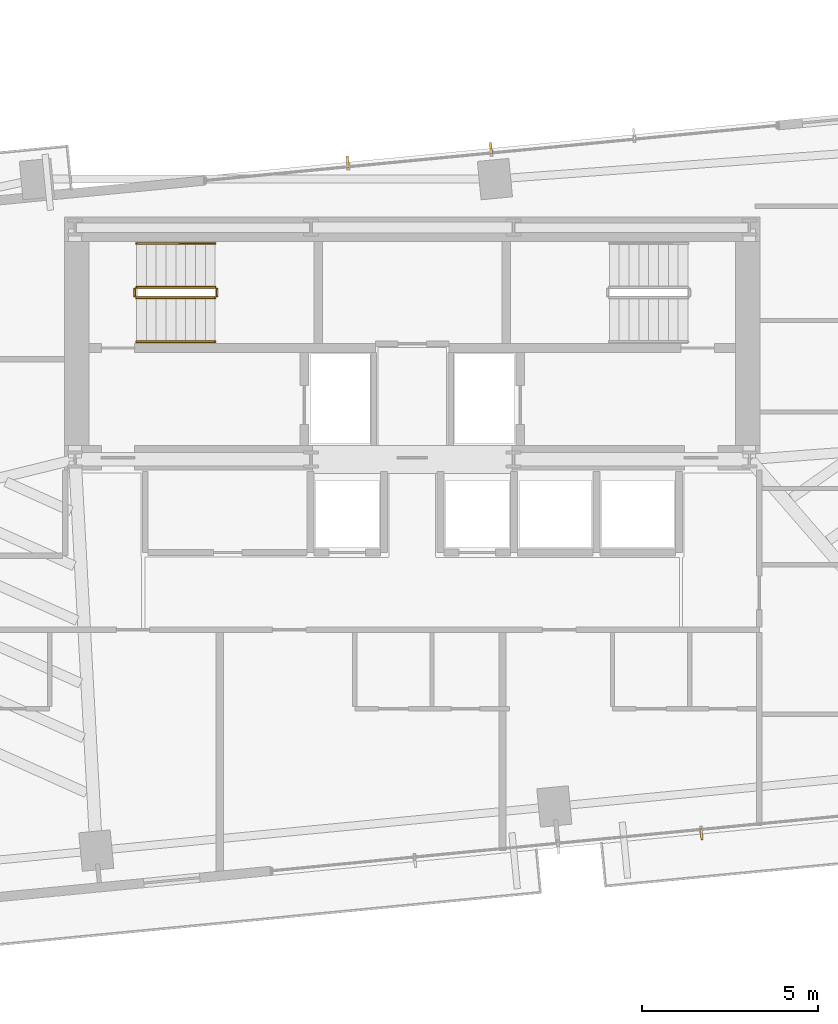
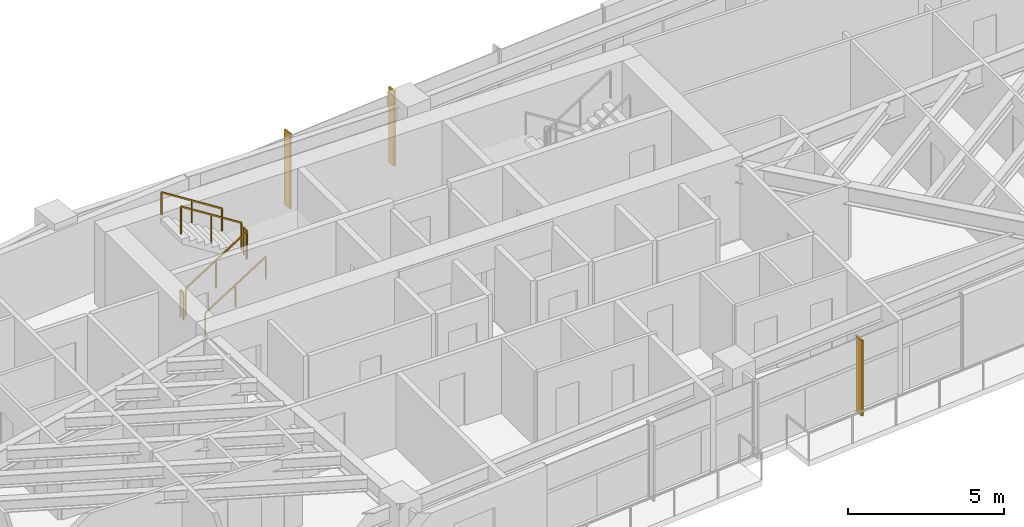
# One storey, part 24 of 25: 6 railings, 3 shading devices.
"""IFC4 building model written with IfcOpenShell, lengths in metres."""

from ifc_helpers import new_model, si_unit, direction, frame, origin, origin_2d, place, context, subcontext, project, spatial, rectangle, extrude, source, transform, mapped, material, type_object, type_shapes, element, save


model = new_model("IFC4")

# Units and contexts
model_context = context("Model", 3, precision=1e-05, world=origin(), true_north=direction((0.0, 1.0)))
body_context = subcontext(model_context, "Body", "Model", "MODEL_VIEW")
ifc_project = project(units=[si_unit("LENGTHUNIT", "METRE"), si_unit("AREAUNIT", "SQUARE_METRE"), si_unit("VOLUMEUNIT", "CUBIC_METRE"), si_unit("PLANEANGLEUNIT", "RADIAN"), si_unit("MASSUNIT", "GRAM", prefix="KILO")], contexts=[model_context])

# Site, building, storey
site_placement = place(None, origin())
site = spatial("IfcSite", under=ifc_project, at=site_placement, CompositionType="ELEMENT")
building_placement = place(site_placement, origin())
building = spatial("IfcBuilding", under=site, at=building_placement, Name="Astriad Promenade Condominiums", CompositionType="ELEMENT")
storey_placement = place(building_placement, frame((0.0, 0.0, 106.60009765625)))
storey = spatial("IfcBuildingStorey", under=building, at=storey_placement, Name="L30", CompositionType="ELEMENT", Elevation=106.60009765625)

# Shading devices
ifc_material_1 = material(Name="Anodised aluminium 6063-T6 Black Fin", Category="aluminium")
shading_device_type = type_object("IfcShadingDeviceType", Name="FIN-BLACK-320", PredefinedType="USERDEFINED", material=ifc_material_1)
shared_shape_1 = source(origin(), body_context, "Body", "SweptSolid", [
    extrude(rectangle(XDim=0.06494140625, YDim=0.320068359375, at=origin_2d()), origin(), (0.0, 0.0, 1.0), 2.93994140625),
])
type_shapes(shading_device_type, [shared_shape_1])
for number, where, z_axis, x_axis, name in (
    (1, (34.164306640625, 25.87158203125, 0.0), (0.0, 0.0, 1.0), (0.995396198367, 0.09584575252, 0.0), "CW-L30-N-FIN-01"),
    (2, (38.240478515625, 26.263916015625, 0.0), (0.0, 0.0, 1.0), (0.995396198367, 0.09584575252, 0.0), "CW-L30-N-FIN-02"),
    (3, (44.235595703125, 6.728515625, 0.0), (0.0, 0.0, 1.0), (-0.995396198367, -0.09584575252, 0.0), "CW-L30-S-FIN-01"),
):
    element("IfcShadingDevice", number, at=place(storey_placement, frame(where, z_axis=z_axis, x_axis=x_axis)), inside=storey, type_object=shading_device_type, Name=name, ObjectType="FIN", PredefinedType="USERDEFINED", context=body_context, shape_type="MappedRepresentation", body=[
        mapped(shared_shape_1, transform((0.0, 0.0, 0.0), scale=1.0)),
    ])

# Railings
ifc_material_2 = material(Name="Painted Galvanised Steel Guardrail", Category="steel")
railing_type_1 = type_object("IfcRailingType", Name="GRD-STAIR-1100", PredefinedType="GUARDRAIL", material=ifc_material_2)
shared_shape_2 = source(origin(), body_context, "Body", "SweptSolid", [
    extrude(rectangle(XDim=0.048095703125, YDim=0.048095703125, at=origin_2d()), frame((0.0, 0.0, 1.076171875), z_axis=(0.0, 1.0, 0.0), x_axis=(-1.0, 0.0, 0.0)), (0.0, 0.0, 1.0), 0.199951171875),
    extrude(rectangle(XDim=0.0419921875, YDim=0.0419921875, at=origin_2d()), origin(), (0.0, 0.0, 1.0), 1.052001953125),
    extrude(rectangle(XDim=0.0419921875, YDim=0.0419921875, at=origin_2d()), frame((0.0, 0.199951171875, 0.0)), (0.0, 0.0, 1.0), 1.052001953125),
])
for number, where, name in (
    (4, (30.43994140625, 22.050048828125, 1.599853515625), "L30 ST-1 stair guard 2"),
    (5, (28.10009765625, 22.050048828125, 0.0), "L30 ST-1 stair guard 4"),
):
    element("IfcRailing", number, at=place(storey_placement, frame(where)), inside=storey, type_object=railing_type_1, Name=name, PredefinedType="GUARDRAIL", context=body_context, shape_type="MappedRepresentation", body=[
        mapped(shared_shape_2, transform((0.0, 0.0, 0.0), scale=1.0)),
    ])
shared_shape_3 = source(origin(), body_context, "Body", "SweptSolid", [
    extrude(rectangle(XDim=0.048095703125, YDim=0.048095703125, at=origin_2d()), frame((0.0, 0.0, 1.076171875), z_axis=(0.8442293374, 0.0, 0.53598211339), x_axis=(0.0, 1.0, 0.0)), (0.0, 0.0, 1.0), 2.6533203125),
    extrude(rectangle(XDim=0.0419921875, YDim=0.0419921875, at=origin_2d()), origin(), (0.0, 0.0, 1.0), 1.052001953125),
    extrude(rectangle(XDim=0.0419921875, YDim=0.0419921875, at=origin_2d()), frame((1.1201171875, 0.0, 0.7109375)), (0.0, 0.0, 1.0), 1.052001953125),
    extrude(rectangle(XDim=0.0419921875, YDim=0.0419921875, at=origin_2d()), frame((2.239990234375, 0.0, 1.422119140625)), (0.0, 0.0, 1.0), 1.052001953125),
])
railing_1_placement = place(storey_placement, frame((28.14990234375, 22.0, 0.177734375)))
element("IfcRailing", 6, at=railing_1_placement, inside=storey, type_object=railing_type_1, Name="L30 ST-1 stair guard 1", PredefinedType="GUARDRAIL", context=body_context, shape_type="MappedRepresentation", body=[
    mapped(shared_shape_3, transform((0.0, 0.0, 0.0), scale=1.0)),
])
shared_shape_4 = source(origin(), body_context, "Body", "SweptSolid", [
    extrude(rectangle(XDim=0.048095703125, YDim=0.048095703125, at=origin_2d()), frame((0.0, 0.0, 1.076171875), z_axis=(-0.84418770128, 0.0, 0.536047689118), x_axis=(0.0, -1.0, 0.0)), (0.0, 0.0, 1.0), 2.6533203125),
    extrude(rectangle(XDim=0.0419921875, YDim=0.0419921875, at=origin_2d()), origin(), (0.0, 0.0, 1.0), 1.052001953125),
    extrude(rectangle(XDim=0.0419921875, YDim=0.0419921875, at=origin_2d()), frame((-1.1201171875, 0.0, 0.711181640625)), (0.0, 0.0, 1.0), 1.052001953125),
    extrude(rectangle(XDim=0.0419921875, YDim=0.0419921875, at=origin_2d()), frame((-2.239990234375, 0.0, 1.42236328125)), (0.0, 0.0, 1.0), 1.052001953125),
])
type_shapes(railing_type_1, [shared_shape_2, shared_shape_3, shared_shape_4])
railing_2_placement = place(storey_placement, frame((30.389892578125, 22.300048828125, 1.777587890625)))
element("IfcRailing", 7, at=railing_2_placement, inside=storey, type_object=railing_type_1, Name="L30 ST-1 stair guard 3", PredefinedType="GUARDRAIL", context=body_context, shape_type="MappedRepresentation", body=[
    mapped(shared_shape_4, transform((0.0, 0.0, 0.0), scale=1.0)),
])
ifc_material_3 = material(Name="Brushed Stainless Steel Handrail", Category="steel")
railing_type_2 = type_object("IfcRailingType", Name="HRL-STAIR-920", PredefinedType="HANDRAIL", material=ifc_material_3)
shared_shape_5 = source(origin(), body_context, "Body", "SweptSolid", [
    extrude(rectangle(XDim=0.048095703125, YDim=0.048095703125, at=origin_2d()), frame((0.0, 0.0, 0.8759765625), z_axis=(0.8442293374, 0.0, 0.53598211339), x_axis=(0.0, 1.0, 0.0)), (0.0, 0.0, 1.0), 2.6533203125),
    extrude(rectangle(XDim=0.0419921875, YDim=0.0419921875, at=origin_2d()), origin(), (0.0, 0.0, 1.0), 0.851806640625),
    extrude(rectangle(XDim=0.0419921875, YDim=0.0419921875, at=origin_2d()), frame((1.1201171875, 0.0, 0.7109375)), (0.0, 0.0, 1.0), 0.851806640625),
    extrude(rectangle(XDim=0.0419921875, YDim=0.0419921875, at=origin_2d()), frame((2.239990234375, 0.0, 1.422119140625)), (0.0, 0.0, 1.0), 0.851806640625),
])
railing_3_placement = place(storey_placement, frame((28.14990234375, 20.75, 0.177734375)))
element("IfcRailing", 8, at=railing_3_placement, inside=storey, type_object=railing_type_2, Name="L30 ST-1 stair handrail 1", PredefinedType="HANDRAIL", context=body_context, shape_type="MappedRepresentation", body=[
    mapped(shared_shape_5, transform((0.0, 0.0, 0.0), scale=1.0)),
])
shared_shape_6 = source(origin(), body_context, "Body", "SweptSolid", [
    extrude(rectangle(XDim=0.048095703125, YDim=0.048095703125, at=origin_2d()), frame((0.0, 0.0, 0.8759765625), z_axis=(-0.84418770128, 0.0, 0.536047689118), x_axis=(0.0, -1.0, 0.0)), (0.0, 0.0, 1.0), 2.6533203125),
    extrude(rectangle(XDim=0.0419921875, YDim=0.0419921875, at=origin_2d()), origin(), (0.0, 0.0, 1.0), 0.851806640625),
    extrude(rectangle(XDim=0.0419921875, YDim=0.0419921875, at=origin_2d()), frame((-1.1201171875, 0.0, 0.711181640625)), (0.0, 0.0, 1.0), 0.851806640625),
    extrude(rectangle(XDim=0.0419921875, YDim=0.0419921875, at=origin_2d()), frame((-2.239990234375, 0.0, 1.42236328125)), (0.0, 0.0, 1.0), 0.851806640625),
])
type_shapes(railing_type_2, [shared_shape_5, shared_shape_6])
railing_4_placement = place(storey_placement, frame((30.389892578125, 23.550048828125, 1.777587890625)))
element("IfcRailing", 9, at=railing_4_placement, inside=storey, type_object=railing_type_2, Name="L30 ST-1 stair handrail 2", PredefinedType="HANDRAIL", context=body_context, shape_type="MappedRepresentation", body=[
    mapped(shared_shape_6, transform((0.0, 0.0, 0.0), scale=1.0)),
])

save(model, "model.ifc")
